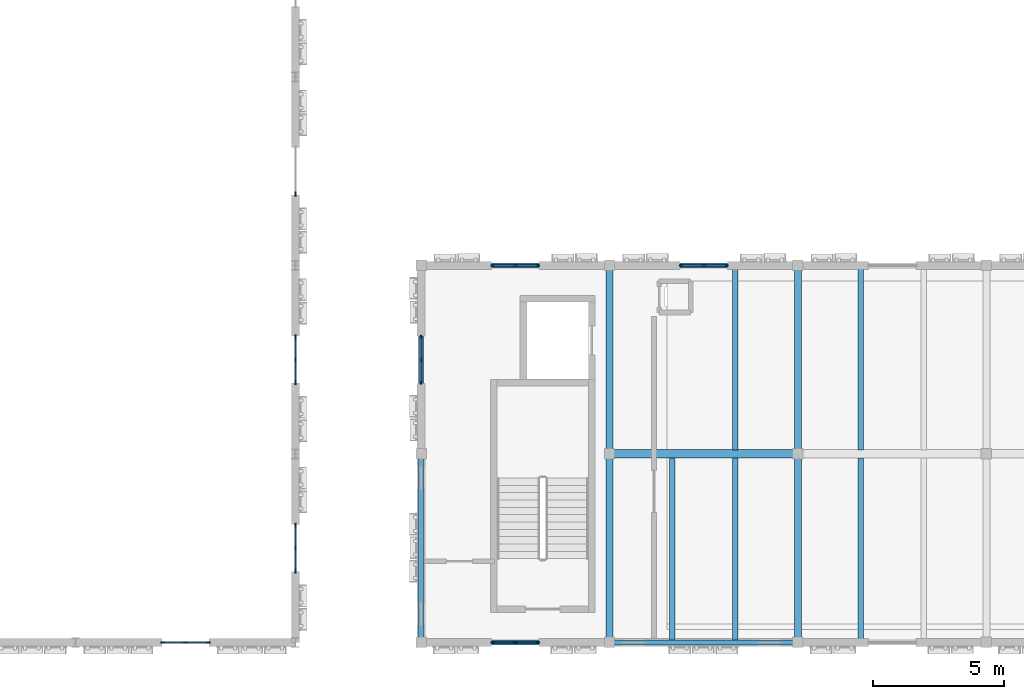
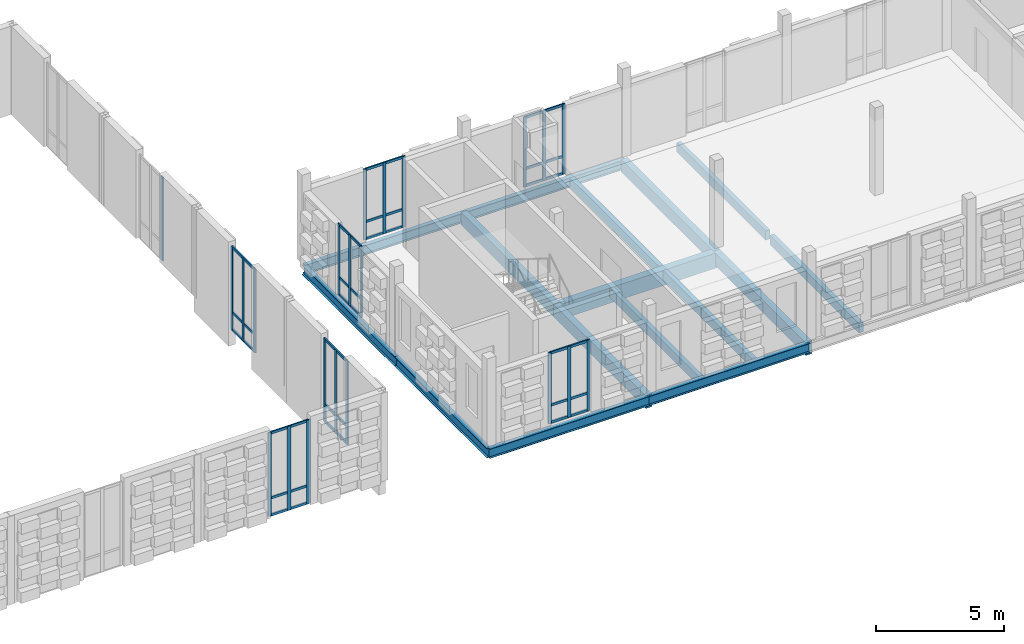
# One storey, part 7 of 81: 43 members, 16 beams, 8 elements without a shape of their own.
"""IFC4 building model written with IfcOpenShell, lengths in metres."""

from ifc_helpers import new_model, si_unit, direction, frame, origin, origin_2d, place, context, subcontext, project, spatial, rectangle, i_section, extrude, material, material_profile, profile_set, type_object, element, aggregate, save


model = new_model("IFC4")

# Units and contexts
model_context = context("Model", 3, precision=1e-05, world=origin(), true_north=direction((0.0, 1.0)))
body_context = subcontext(model_context, "Body", "Model", "MODEL_VIEW")
ifc_project = project(units=[si_unit("LENGTHUNIT", "METRE"), si_unit("AREAUNIT", "SQUARE_METRE"), si_unit("VOLUMEUNIT", "CUBIC_METRE"), si_unit("PLANEANGLEUNIT", "RADIAN"), si_unit("MASSUNIT", "GRAM", prefix="KILO")], contexts=[model_context])

# Site, building, storey
site_placement = place(None, origin())
site = spatial("IfcSite", under=ifc_project, at=site_placement, CompositionType="ELEMENT")
building_placement = place(site_placement, origin())
building = spatial("IfcBuilding", under=site, at=building_placement, Name="Kahlenmark Community Centre", CompositionType="ELEMENT")
storey_placement = place(building_placement, frame((0.0, 0.0, 9.60009765625)))
storey = spatial("IfcBuildingStorey", under=building, at=storey_placement, Name="L02", CompositionType="ELEMENT", Elevation=9.60009765625)

# Beams
ifc_material_1 = material(Name="Glulam GL32h", Category="wood")
ifc_material_profile_1 = material_profile(ifc_material_1, rectangle(XDim=0.280029296875, YDim=0.60009765625, at=origin_2d()), Name="GL32h 280x600")
ifc_profile_set_1 = profile_set([ifc_material_profile_1], Name="Glulam GL32h")
beam_type_1 = type_object("IfcBeamType", Name="BT-BEAM-GL32h280x600", PredefinedType="BEAM", material=ifc_profile_set_1)
for number, where, z_axis, x_axis, name in (
    (1, (58.0, 8.800048828125, -0.52001953125), (0.0, 1.0, 0.0), (-1.0, 0.0, 0.0), "L02 beam BG-GL32h280x600"),
    (2, (58.0, 16.0, -0.52001953125), (0.0, 1.0, 0.0), (-1.0, 0.0, 0.0), "L02 beam BG-GL32h280x600"),
    (3, (65.199951171875, 8.800048828125, -0.52001953125), (0.0, 1.0, 0.0), (-1.0, 0.0, 0.0), "L02 beam BG-GL32h280x600"),
    (4, (65.199951171875, 16.0, -0.52001953125), (0.0, 1.0, 0.0), (-1.0, 0.0, 0.0), "L02 beam BG-GL32h280x600"),
):
    element("IfcBeam", number, at=place(storey_placement, frame(where, z_axis=z_axis, x_axis=x_axis)), inside=storey, type_object=beam_type_1, Name=name, PredefinedType="BEAM", context=body_context, shape_type="SweptSolid", body=[
        extrude(rectangle(XDim=0.280029296875, YDim=0.60009765625, at=origin_2d()), origin(), (0.0, 0.0, 1.0), 7.199951171875),
    ])
ifc_material_profile_2 = material_profile(ifc_material_1, rectangle(XDim=0.320068359375, YDim=0.719970703125, at=origin_2d()), Name="GL32h 320x720")
ifc_profile_set_2 = profile_set([ifc_material_profile_2], Name="Glulam GL32h")
beam_type_2 = type_object("IfcBeamType", Name="BT-BEAM-GL32h320x720", PredefinedType="BEAM", material=ifc_profile_set_2)
beam_placement = place(storey_placement, frame((58.0, 16.0, -0.580078125), z_axis=(1.0, 0.0, 0.0), x_axis=(0.0, 1.0, 0.0)))
element("IfcBeam", 5, at=beam_placement, inside=storey, type_object=beam_type_2, Name="L02 beam BG-GL32h320x720", PredefinedType="BEAM", context=body_context, shape_type="SweptSolid", body=[
    extrude(rectangle(XDim=0.320068359375, YDim=0.719970703125, at=origin_2d()), origin(), (0.0, 0.0, 1.0), 7.199951171875),
])
ifc_material_2 = material(Name="Glulam GL28h", Category="wood")
ifc_material_profile_3 = material_profile(ifc_material_2, rectangle(XDim=0.199951171875, YDim=0.43994140625, at=origin_2d()), Name="GL28h 200x440")
ifc_profile_set_3 = profile_set([ifc_material_profile_3], Name="Glulam GL28h")
beam_type_3 = type_object("IfcBeamType", Name="BT-JOIST-GL28h200x440", PredefinedType="JOIST", material=ifc_profile_set_3)
for number, where, z_axis, x_axis, name in (
    (6, (60.39990234375, 8.89306640625, -0.440185546875), (0.0, 1.0, 0.0), (-1.0, 0.0, 0.0), "L02 joist BJ-GL28h200x440"),
    (7, (62.800048828125, 8.89306640625, -0.440185546875), (0.0, 1.0, 0.0), (-1.0, 0.0, 0.0), "L02 joist BJ-GL28h200x440"),
    (8, (62.800048828125, 16.157958984375, -0.440185546875), (0.0, 1.0, 0.0), (-1.0, 0.0, 0.0), "L02 joist BJ-GL28h200x440"),
    (9, (67.60009765625, 8.89306640625, -0.440185546875), (0.0, 1.0, 0.0), (-1.0, 0.0, 0.0), "L02 joist BJ-GL28h200x440"),
    (10, (67.60009765625, 16.157958984375, -0.440185546875), (0.0, 1.0, 0.0), (-1.0, 0.0, 0.0), "L02 joist BJ-GL28h200x440"),
):
    element("IfcBeam", number, at=place(storey_placement, frame(where, z_axis=z_axis, x_axis=x_axis)), inside=storey, type_object=beam_type_3, Name=name, PredefinedType="JOIST", context=body_context, shape_type="SweptSolid", body=[
        extrude(rectangle(XDim=0.199951171875, YDim=0.43994140625, at=origin_2d()), origin(), (0.0, 0.0, 1.0), 6.948974609375),
    ])
ifc_material_3 = material(Name="Steel S355", Category="steel")
ifc_material_profile_4 = material_profile(ifc_material_3, i_section(OverallWidth=0.18994140625, OverallDepth=0.449951171875, WebThickness=0.009521484375, FlangeThickness=0.0146484375, at=origin_2d()), Name="IPE 450")
ifc_profile_set_4 = profile_set([ifc_material_profile_4], Name="Steel S355")
beam_type_4 = type_object("IfcBeamType", Name="BT-SPANDREL-IPE450", PredefinedType="SPANDREL", material=ifc_profile_set_4)
for number, where, z_axis, x_axis, name in (
    (11, (50.800048828125, 8.800048828125, -0.445068359375), (1.0, 0.0, 0.0), (0.0, 1.0, 0.0), "L02 spandrel SP-IPE450"),
    (12, (58.0, 8.800048828125, -0.445068359375), (1.0, 0.0, 0.0), (0.0, 1.0, 0.0), "L02 spandrel SP-IPE450"),
    (13, (50.800048828125, 23.199951171875, -0.445068359375), (1.0, 0.0, 0.0), (0.0, 1.0, 0.0), "L02 spandrel SP-IPE450"),
    (14, (58.0, 23.199951171875, -0.445068359375), (1.0, 0.0, 0.0), (0.0, 1.0, 0.0), "L02 spandrel SP-IPE450"),
    (15, (50.800048828125, 8.800048828125, -0.445068359375), (0.0, 1.0, 0.0), (-1.0, 0.0, 0.0), "L02 spandrel SP-IPE450"),
    (16, (50.800048828125, 16.0, -0.445068359375), (0.0, 1.0, 0.0), (-1.0, 0.0, 0.0), "L02 spandrel SP-IPE450"),
):
    element("IfcBeam", number, at=place(storey_placement, frame(where, z_axis=z_axis, x_axis=x_axis)), inside=storey, type_object=beam_type_4, Name=name, PredefinedType="SPANDREL", context=body_context, shape_type="SweptSolid", body=[
        extrude(i_section(OverallWidth=0.18994140625, OverallDepth=0.449951171875, WebThickness=0.009521484375, FlangeThickness=0.0146484375, at=origin_2d()), origin(), (0.0, 0.0, 1.0), 7.199951171875),
    ])

# Curtain wall, members
ifc_material_4 = material(Name="Anodised aluminium unitised curtain wall", Category="aluminium")
curtain_wall_type_1 = type_object("IfcCurtainWallType", Name="CWT-UNIT-180X337", PredefinedType="USERDEFINED", material=ifc_material_4)
curtain_wall_1_placement = place(storey_placement, origin())
curtain_wall_1 = element("IfcCurtainWall", 17, at=curtain_wall_1_placement, inside=storey, type_object=curtain_wall_type_1, Name="Unitised curtain wall CW-080", ObjectType="UNITISED CURTAIN WALL", PredefinedType="USERDEFINED")
ifc_material_5 = material(Name="Anodised aluminium 6063-T6", Category="aluminium")
ifc_material_profile_5 = material_profile(ifc_material_5, rectangle(XDim=0.06005859375, YDim=0.139892578125, at=origin_2d()), Name="ALU MULLION 60x140")
ifc_profile_set_5 = profile_set([ifc_material_profile_5], Name="Anodised aluminium 6063-T6")
member_type_1 = type_object("IfcMemberType", Name="MT-MUL-140", PredefinedType="MULLION", material=ifc_profile_set_5)
member_1_placement = place(storey_placement, frame((53.530029296875, 8.800048828125, 0.0), z_axis=(0.0, 0.0, 1.0), x_axis=(0.0, 1.0, 0.0)))
member_1 = element("IfcMember", 18, at=member_1_placement, type_object=member_type_1, Name="CW-080 mullion 1", PredefinedType="MULLION", context=body_context, shape_type="SweptSolid", body=[
    extrude(rectangle(XDim=0.06005859375, YDim=0.139892578125, at=origin_2d()), origin(), (0.0, 0.0, 1.0), 3.369873046875),
])
member_2_placement = place(storey_placement, frame((54.39990234375, 8.800048828125, 0.0), z_axis=(0.0, 0.0, 1.0), x_axis=(0.0, 1.0, 0.0)))
member_2 = element("IfcMember", 19, at=member_2_placement, type_object=member_type_1, Name="CW-080 mullion 2", PredefinedType="MULLION", context=body_context, shape_type="SweptSolid", body=[
    extrude(rectangle(XDim=0.06005859375, YDim=0.139892578125, at=origin_2d()), origin(), (0.0, 0.0, 1.0), 3.369873046875),
])
member_3_placement = place(storey_placement, frame((55.27001953125, 8.800048828125, 0.0), z_axis=(0.0, 0.0, 1.0), x_axis=(0.0, 1.0, 0.0)))
member_3 = element("IfcMember", 20, at=member_3_placement, type_object=member_type_1, Name="CW-080 mullion 3", PredefinedType="MULLION", context=body_context, shape_type="SweptSolid", body=[
    extrude(rectangle(XDim=0.06005859375, YDim=0.139892578125, at=origin_2d()), origin(), (0.0, 0.0, 1.0), 3.369873046875),
])

curtain_wall_2_placement = place(storey_placement, origin())
curtain_wall_2 = element("IfcCurtainWall", 21, at=curtain_wall_2_placement, inside=storey, type_object=curtain_wall_type_1, Name="Unitised curtain wall CW-083", ObjectType="UNITISED CURTAIN WALL", PredefinedType="USERDEFINED")
member_4_placement = place(storey_placement, frame((55.27001953125, 23.199951171875, 0.0), z_axis=(0.0, 0.0, 1.0), x_axis=(0.0, -1.0, 0.0)))
member_4 = element("IfcMember", 22, at=member_4_placement, type_object=member_type_1, Name="CW-083 mullion 1", PredefinedType="MULLION", context=body_context, shape_type="SweptSolid", body=[
    extrude(rectangle(XDim=0.06005859375, YDim=0.139892578125, at=origin_2d()), origin(), (0.0, 0.0, 1.0), 3.369873046875),
])
member_5_placement = place(storey_placement, frame((54.39990234375, 23.199951171875, 0.0), z_axis=(0.0, 0.0, 1.0), x_axis=(0.0, -1.0, 0.0)))
member_5 = element("IfcMember", 23, at=member_5_placement, type_object=member_type_1, Name="CW-083 mullion 2", PredefinedType="MULLION", context=body_context, shape_type="SweptSolid", body=[
    extrude(rectangle(XDim=0.06005859375, YDim=0.139892578125, at=origin_2d()), origin(), (0.0, 0.0, 1.0), 3.369873046875),
])
member_6_placement = place(storey_placement, frame((53.530029296875, 23.199951171875, 0.0), z_axis=(0.0, 0.0, 1.0), x_axis=(0.0, -1.0, 0.0)))
member_6 = element("IfcMember", 24, at=member_6_placement, type_object=member_type_1, Name="CW-083 mullion 3", PredefinedType="MULLION", context=body_context, shape_type="SweptSolid", body=[
    extrude(rectangle(XDim=0.06005859375, YDim=0.139892578125, at=origin_2d()), origin(), (0.0, 0.0, 1.0), 3.369873046875),
])

curtain_wall_type_2 = type_object("IfcCurtainWallType", Name="CWT-UNIT-180X333", PredefinedType="USERDEFINED", material=ifc_material_4)
curtain_wall_3_placement = place(storey_placement, origin())
curtain_wall_3 = element("IfcCurtainWall", 25, at=curtain_wall_3_placement, inside=storey, type_object=curtain_wall_type_2, Name="Unitised curtain wall CW-084", ObjectType="UNITISED CURTAIN WALL", PredefinedType="USERDEFINED")
member_7_placement = place(storey_placement, frame((62.469970703125, 23.199951171875, 0.0), z_axis=(0.0, 0.0, 1.0), x_axis=(0.0, -1.0, 0.0)))
member_7 = element("IfcMember", 26, at=member_7_placement, type_object=member_type_1, Name="CW-084 mullion 1", PredefinedType="MULLION", context=body_context, shape_type="SweptSolid", body=[
    extrude(rectangle(XDim=0.06005859375, YDim=0.139892578125, at=origin_2d()), origin(), (0.0, 0.0, 1.0), 3.329833984375),
])
member_8_placement = place(storey_placement, frame((61.60009765625, 23.199951171875, 0.0), z_axis=(0.0, 0.0, 1.0), x_axis=(0.0, -1.0, 0.0)))
member_8 = element("IfcMember", 27, at=member_8_placement, type_object=member_type_1, Name="CW-084 mullion 2", PredefinedType="MULLION", context=body_context, shape_type="SweptSolid", body=[
    extrude(rectangle(XDim=0.06005859375, YDim=0.139892578125, at=origin_2d()), origin(), (0.0, 0.0, 1.0), 3.329833984375),
])
member_9_placement = place(storey_placement, frame((60.72998046875, 23.199951171875, 0.0), z_axis=(0.0, 0.0, 1.0), x_axis=(0.0, -1.0, 0.0)))
member_9 = element("IfcMember", 28, at=member_9_placement, type_object=member_type_1, Name="CW-084 mullion 3", PredefinedType="MULLION", context=body_context, shape_type="SweptSolid", body=[
    extrude(rectangle(XDim=0.06005859375, YDim=0.139892578125, at=origin_2d()), origin(), (0.0, 0.0, 1.0), 3.329833984375),
])

curtain_wall_4_placement = place(storey_placement, origin())
curtain_wall_4 = element("IfcCurtainWall", 29, at=curtain_wall_4_placement, inside=storey, type_object=curtain_wall_type_1, Name="Unitised curtain wall CW-087", ObjectType="UNITISED CURTAIN WALL", PredefinedType="USERDEFINED")
member_10_placement = place(storey_placement, frame((50.800048828125, 20.469970703125, 0.0), z_axis=(0.0, 0.0, 1.0), x_axis=(1.0, 0.0, 0.0)))
member_10 = element("IfcMember", 30, at=member_10_placement, type_object=member_type_1, Name="CW-087 mullion 1", PredefinedType="MULLION", context=body_context, shape_type="SweptSolid", body=[
    extrude(rectangle(XDim=0.06005859375, YDim=0.139892578125, at=origin_2d()), origin(), (0.0, 0.0, 1.0), 3.369873046875),
])
member_11_placement = place(storey_placement, frame((50.800048828125, 19.60009765625, 0.0), z_axis=(0.0, 0.0, 1.0), x_axis=(1.0, 0.0, 0.0)))
member_11 = element("IfcMember", 31, at=member_11_placement, type_object=member_type_1, Name="CW-087 mullion 2", PredefinedType="MULLION", context=body_context, shape_type="SweptSolid", body=[
    extrude(rectangle(XDim=0.06005859375, YDim=0.139892578125, at=origin_2d()), origin(), (0.0, 0.0, 1.0), 3.369873046875),
])
member_12_placement = place(storey_placement, frame((50.800048828125, 18.72998046875, 0.0), z_axis=(0.0, 0.0, 1.0), x_axis=(1.0, 0.0, 0.0)))
member_12 = element("IfcMember", 32, at=member_12_placement, type_object=member_type_1, Name="CW-087 mullion 3", PredefinedType="MULLION", context=body_context, shape_type="SweptSolid", body=[
    extrude(rectangle(XDim=0.06005859375, YDim=0.139892578125, at=origin_2d()), origin(), (0.0, 0.0, 1.0), 3.369873046875),
])

curtain_wall_type_3 = type_object("IfcCurtainWallType", Name="CWT-UNIT-180X398", PredefinedType="USERDEFINED", material=ifc_material_4)
curtain_wall_5_placement = place(storey_placement, origin())
curtain_wall_5 = element("IfcCurtainWall", 33, at=curtain_wall_5_placement, inside=storey, type_object=curtain_wall_type_3, Name="Unitised curtain wall CW-061", ObjectType="UNITISED CURTAIN WALL", PredefinedType="USERDEFINED")
ifc_material_profile_6 = material_profile(ifc_material_5, rectangle(XDim=0.06005859375, YDim=0.159912109375, at=origin_2d()), Name="ALU MULLION 60x160")
ifc_profile_set_6 = profile_set([ifc_material_profile_6], Name="Anodised aluminium 6063-T6")
member_type_2 = type_object("IfcMemberType", Name="MT-MUL-160", PredefinedType="MULLION", material=ifc_profile_set_6)
member_13_placement = place(storey_placement, frame((40.929931640625, 8.800048828125, 0.0), z_axis=(0.0, 0.0, 1.0), x_axis=(0.0, 1.0, 0.0)))
member_13 = element("IfcMember", 34, at=member_13_placement, type_object=member_type_2, Name="CW-061 mullion 1", PredefinedType="MULLION", context=body_context, shape_type="SweptSolid", body=[
    extrude(rectangle(XDim=0.06005859375, YDim=0.159912109375, at=origin_2d()), origin(), (0.0, 0.0, 1.0), 3.97998046875),
])
member_14_placement = place(storey_placement, frame((41.800048828125, 8.800048828125, 0.0), z_axis=(0.0, 0.0, 1.0), x_axis=(0.0, 1.0, 0.0)))
member_14 = element("IfcMember", 35, at=member_14_placement, type_object=member_type_2, Name="CW-061 mullion 2", PredefinedType="MULLION", context=body_context, shape_type="SweptSolid", body=[
    extrude(rectangle(XDim=0.06005859375, YDim=0.159912109375, at=origin_2d()), origin(), (0.0, 0.0, 1.0), 3.97998046875),
])
member_15_placement = place(storey_placement, frame((42.669921875, 8.800048828125, 0.0), z_axis=(0.0, 0.0, 1.0), x_axis=(0.0, 1.0, 0.0)))
member_15 = element("IfcMember", 36, at=member_15_placement, type_object=member_type_2, Name="CW-061 mullion 3", PredefinedType="MULLION", context=body_context, shape_type="SweptSolid", body=[
    extrude(rectangle(XDim=0.06005859375, YDim=0.159912109375, at=origin_2d()), origin(), (0.0, 0.0, 1.0), 3.97998046875),
])

curtain_wall_6_placement = place(storey_placement, origin())
curtain_wall_6 = element("IfcCurtainWall", 37, at=curtain_wall_6_placement, inside=storey, type_object=curtain_wall_type_3, Name="Unitised curtain wall CW-066", ObjectType="UNITISED CURTAIN WALL", PredefinedType="USERDEFINED")
member_16_placement = place(storey_placement, frame((46.0, 11.530029296875, 0.0), z_axis=(0.0, 0.0, 1.0), x_axis=(-1.0, 0.0, 0.0)))
member_16 = element("IfcMember", 38, at=member_16_placement, type_object=member_type_2, Name="CW-066 mullion 1", PredefinedType="MULLION", context=body_context, shape_type="SweptSolid", body=[
    extrude(rectangle(XDim=0.06005859375, YDim=0.159912109375, at=origin_2d()), origin(), (0.0, 0.0, 1.0), 3.97998046875),
])
member_17_placement = place(storey_placement, frame((46.0, 12.39990234375, 0.0), z_axis=(0.0, 0.0, 1.0), x_axis=(-1.0, 0.0, 0.0)))
member_17 = element("IfcMember", 39, at=member_17_placement, type_object=member_type_2, Name="CW-066 mullion 2", PredefinedType="MULLION", context=body_context, shape_type="SweptSolid", body=[
    extrude(rectangle(XDim=0.06005859375, YDim=0.159912109375, at=origin_2d()), origin(), (0.0, 0.0, 1.0), 3.97998046875),
])
member_18_placement = place(storey_placement, frame((46.0, 13.27001953125, 0.0), z_axis=(0.0, 0.0, 1.0), x_axis=(-1.0, 0.0, 0.0)))
member_18 = element("IfcMember", 40, at=member_18_placement, type_object=member_type_2, Name="CW-066 mullion 3", PredefinedType="MULLION", context=body_context, shape_type="SweptSolid", body=[
    extrude(rectangle(XDim=0.06005859375, YDim=0.159912109375, at=origin_2d()), origin(), (0.0, 0.0, 1.0), 3.97998046875),
])

curtain_wall_7_placement = place(storey_placement, origin())
curtain_wall_7 = element("IfcCurtainWall", 41, at=curtain_wall_7_placement, inside=storey, type_object=curtain_wall_type_3, Name="Unitised curtain wall CW-067", ObjectType="UNITISED CURTAIN WALL", PredefinedType="USERDEFINED")
member_19_placement = place(storey_placement, frame((46.0, 18.72998046875, 0.0), z_axis=(0.0, 0.0, 1.0), x_axis=(-1.0, 0.0, 0.0)))
member_19 = element("IfcMember", 42, at=member_19_placement, type_object=member_type_2, Name="CW-067 mullion 1", PredefinedType="MULLION", context=body_context, shape_type="SweptSolid", body=[
    extrude(rectangle(XDim=0.06005859375, YDim=0.159912109375, at=origin_2d()), origin(), (0.0, 0.0, 1.0), 3.97998046875),
])
member_20_placement = place(storey_placement, frame((46.0, 19.60009765625, 0.0), z_axis=(0.0, 0.0, 1.0), x_axis=(-1.0, 0.0, 0.0)))
member_20 = element("IfcMember", 43, at=member_20_placement, type_object=member_type_2, Name="CW-067 mullion 2", PredefinedType="MULLION", context=body_context, shape_type="SweptSolid", body=[
    extrude(rectangle(XDim=0.06005859375, YDim=0.159912109375, at=origin_2d()), origin(), (0.0, 0.0, 1.0), 3.97998046875),
])
member_21_placement = place(storey_placement, frame((46.0, 20.469970703125, 0.0), z_axis=(0.0, 0.0, 1.0), x_axis=(-1.0, 0.0, 0.0)))
member_21 = element("IfcMember", 44, at=member_21_placement, type_object=member_type_2, Name="CW-067 mullion 3", PredefinedType="MULLION", context=body_context, shape_type="SweptSolid", body=[
    extrude(rectangle(XDim=0.06005859375, YDim=0.159912109375, at=origin_2d()), origin(), (0.0, 0.0, 1.0), 3.97998046875),
])

# Curtain wall, member
curtain_wall_8_placement = place(storey_placement, origin())
curtain_wall_8 = element("IfcCurtainWall", 45, at=curtain_wall_8_placement, inside=storey, type_object=curtain_wall_type_3, Name="Unitised curtain wall CW-068", ObjectType="UNITISED CURTAIN WALL", PredefinedType="USERDEFINED")
member_22_placement = place(storey_placement, frame((46.0, 25.929931640625, 0.0), z_axis=(0.0, 0.0, 1.0), x_axis=(-1.0, 0.0, 0.0)))
member_22 = element("IfcMember", 46, at=member_22_placement, type_object=member_type_2, Name="CW-068 mullion 1", PredefinedType="MULLION", context=body_context, shape_type="SweptSolid", body=[
    extrude(rectangle(XDim=0.06005859375, YDim=0.159912109375, at=origin_2d()), origin(), (0.0, 0.0, 1.0), 3.97998046875),
])
aggregate(curtain_wall_8, [member_22])

# Member
ifc_material_profile_7 = material_profile(ifc_material_5, rectangle(XDim=0.06005859375, YDim=0.1201171875, at=origin_2d()), Name="ALU TRANSOM 60x120")
ifc_profile_set_7 = profile_set([ifc_material_profile_7], Name="Anodised aluminium 6063-T6")
member_type_3 = type_object("IfcMemberType", Name="MT-TRN-120", PredefinedType="USERDEFINED", material=ifc_profile_set_7)
member_23_placement = place(storey_placement, frame((40.929931640625, 8.800048828125, 0.039794921875), z_axis=(1.0, 0.0, 0.0), x_axis=(0.0, 1.0, 0.0)))
member_23 = element("IfcMember", 47, at=member_23_placement, type_object=member_type_3, Name="CW-061 transom 1", ObjectType="TRANSOM", PredefinedType="USERDEFINED", context=body_context, shape_type="SweptSolid", body=[
    extrude(rectangle(XDim=0.06005859375, YDim=0.1201171875, at=origin_2d()), origin(), (0.0, 0.0, 1.0), 1.739990234375),
])

member_24_placement = place(storey_placement, frame((40.929931640625, 8.800048828125, 0.849853515625), z_axis=(1.0, 0.0, 0.0), x_axis=(0.0, 1.0, 0.0)))
member_24 = element("IfcMember", 48, at=member_24_placement, type_object=member_type_3, Name="CW-061 transom 2", ObjectType="TRANSOM", PredefinedType="USERDEFINED", context=body_context, shape_type="SweptSolid", body=[
    extrude(rectangle(XDim=0.06005859375, YDim=0.1201171875, at=origin_2d()), origin(), (0.0, 0.0, 1.0), 1.739990234375),
])

member_25_placement = place(storey_placement, frame((40.929931640625, 8.800048828125, 3.93994140625), z_axis=(1.0, 0.0, 0.0), x_axis=(0.0, 1.0, 0.0)))
member_25 = element("IfcMember", 49, at=member_25_placement, type_object=member_type_3, Name="CW-061 transom 3", ObjectType="TRANSOM", PredefinedType="USERDEFINED", context=body_context, shape_type="SweptSolid", body=[
    extrude(rectangle(XDim=0.06005859375, YDim=0.1201171875, at=origin_2d()), origin(), (0.0, 0.0, 1.0), 1.739990234375),
])

aggregate(curtain_wall_5, [member_13, member_14, member_15, member_23, member_24, member_25])

member_26_placement = place(storey_placement, frame((46.0, 11.530029296875, 0.039794921875), z_axis=(0.0, 1.0, 0.0), x_axis=(-1.0, 0.0, 0.0)))
member_26 = element("IfcMember", 50, at=member_26_placement, type_object=member_type_3, Name="CW-066 transom 1", ObjectType="TRANSOM", PredefinedType="USERDEFINED", context=body_context, shape_type="SweptSolid", body=[
    extrude(rectangle(XDim=0.06005859375, YDim=0.1201171875, at=origin_2d()), origin(), (0.0, 0.0, 1.0), 1.739990234375),
])

member_27_placement = place(storey_placement, frame((46.0, 11.530029296875, 0.849853515625), z_axis=(0.0, 1.0, 0.0), x_axis=(-1.0, 0.0, 0.0)))
member_27 = element("IfcMember", 51, at=member_27_placement, type_object=member_type_3, Name="CW-066 transom 2", ObjectType="TRANSOM", PredefinedType="USERDEFINED", context=body_context, shape_type="SweptSolid", body=[
    extrude(rectangle(XDim=0.06005859375, YDim=0.1201171875, at=origin_2d()), origin(), (0.0, 0.0, 1.0), 1.739990234375),
])

member_28_placement = place(storey_placement, frame((46.0, 11.530029296875, 3.93994140625), z_axis=(0.0, 1.0, 0.0), x_axis=(-1.0, 0.0, 0.0)))
member_28 = element("IfcMember", 52, at=member_28_placement, type_object=member_type_3, Name="CW-066 transom 3", ObjectType="TRANSOM", PredefinedType="USERDEFINED", context=body_context, shape_type="SweptSolid", body=[
    extrude(rectangle(XDim=0.06005859375, YDim=0.1201171875, at=origin_2d()), origin(), (0.0, 0.0, 1.0), 1.739990234375),
])

aggregate(curtain_wall_6, [member_16, member_17, member_18, member_26, member_27, member_28])

member_29_placement = place(storey_placement, frame((46.0, 18.72998046875, 0.039794921875), z_axis=(0.0, 1.0, 0.0), x_axis=(-1.0, 0.0, 0.0)))
member_29 = element("IfcMember", 53, at=member_29_placement, type_object=member_type_3, Name="CW-067 transom 1", ObjectType="TRANSOM", PredefinedType="USERDEFINED", context=body_context, shape_type="SweptSolid", body=[
    extrude(rectangle(XDim=0.06005859375, YDim=0.1201171875, at=origin_2d()), origin(), (0.0, 0.0, 1.0), 1.739990234375),
])

member_30_placement = place(storey_placement, frame((46.0, 18.72998046875, 0.849853515625), z_axis=(0.0, 1.0, 0.0), x_axis=(-1.0, 0.0, 0.0)))
member_30 = element("IfcMember", 54, at=member_30_placement, type_object=member_type_3, Name="CW-067 transom 2", ObjectType="TRANSOM", PredefinedType="USERDEFINED", context=body_context, shape_type="SweptSolid", body=[
    extrude(rectangle(XDim=0.06005859375, YDim=0.1201171875, at=origin_2d()), origin(), (0.0, 0.0, 1.0), 1.739990234375),
])

member_31_placement = place(storey_placement, frame((46.0, 18.72998046875, 3.93994140625), z_axis=(0.0, 1.0, 0.0), x_axis=(-1.0, 0.0, 0.0)))
member_31 = element("IfcMember", 55, at=member_31_placement, type_object=member_type_3, Name="CW-067 transom 3", ObjectType="TRANSOM", PredefinedType="USERDEFINED", context=body_context, shape_type="SweptSolid", body=[
    extrude(rectangle(XDim=0.06005859375, YDim=0.1201171875, at=origin_2d()), origin(), (0.0, 0.0, 1.0), 1.739990234375),
])

aggregate(curtain_wall_7, [member_19, member_20, member_21, member_29, member_30, member_31])

member_32_placement = place(storey_placement, frame((53.530029296875, 8.800048828125, 0.039794921875), z_axis=(1.0, 0.0, 0.0), x_axis=(0.0, 1.0, 0.0)))
member_32 = element("IfcMember", 56, at=member_32_placement, type_object=member_type_3, Name="CW-080 transom 1", ObjectType="TRANSOM", PredefinedType="USERDEFINED", context=body_context, shape_type="SweptSolid", body=[
    extrude(rectangle(XDim=0.06005859375, YDim=0.1201171875, at=origin_2d()), origin(), (0.0, 0.0, 1.0), 1.739990234375),
])

member_33_placement = place(storey_placement, frame((53.530029296875, 8.800048828125, 0.849853515625), z_axis=(1.0, 0.0, 0.0), x_axis=(0.0, 1.0, 0.0)))
member_33 = element("IfcMember", 57, at=member_33_placement, type_object=member_type_3, Name="CW-080 transom 2", ObjectType="TRANSOM", PredefinedType="USERDEFINED", context=body_context, shape_type="SweptSolid", body=[
    extrude(rectangle(XDim=0.06005859375, YDim=0.1201171875, at=origin_2d()), origin(), (0.0, 0.0, 1.0), 1.739990234375),
])

member_34_placement = place(storey_placement, frame((53.530029296875, 8.800048828125, 3.329833984375), z_axis=(1.0, 0.0, 0.0), x_axis=(0.0, 1.0, 0.0)))
member_34 = element("IfcMember", 58, at=member_34_placement, type_object=member_type_3, Name="CW-080 transom 3", ObjectType="TRANSOM", PredefinedType="USERDEFINED", context=body_context, shape_type="SweptSolid", body=[
    extrude(rectangle(XDim=0.06005859375, YDim=0.1201171875, at=origin_2d()), origin(), (0.0, 0.0, 1.0), 1.739990234375),
])

aggregate(curtain_wall_1, [member_1, member_2, member_3, member_32, member_33, member_34])

member_35_placement = place(storey_placement, frame((55.27001953125, 23.199951171875, 0.039794921875), z_axis=(-1.0, 0.0, 0.0), x_axis=(0.0, -1.0, 0.0)))
member_35 = element("IfcMember", 59, at=member_35_placement, type_object=member_type_3, Name="CW-083 transom 1", ObjectType="TRANSOM", PredefinedType="USERDEFINED", context=body_context, shape_type="SweptSolid", body=[
    extrude(rectangle(XDim=0.06005859375, YDim=0.1201171875, at=origin_2d()), origin(), (0.0, 0.0, 1.0), 1.739990234375),
])

member_36_placement = place(storey_placement, frame((55.27001953125, 23.199951171875, 0.849853515625), z_axis=(-1.0, 0.0, 0.0), x_axis=(0.0, -1.0, 0.0)))
member_36 = element("IfcMember", 60, at=member_36_placement, type_object=member_type_3, Name="CW-083 transom 2", ObjectType="TRANSOM", PredefinedType="USERDEFINED", context=body_context, shape_type="SweptSolid", body=[
    extrude(rectangle(XDim=0.06005859375, YDim=0.1201171875, at=origin_2d()), origin(), (0.0, 0.0, 1.0), 1.739990234375),
])

member_37_placement = place(storey_placement, frame((55.27001953125, 23.199951171875, 3.329833984375), z_axis=(-1.0, 0.0, 0.0), x_axis=(0.0, -1.0, 0.0)))
member_37 = element("IfcMember", 61, at=member_37_placement, type_object=member_type_3, Name="CW-083 transom 3", ObjectType="TRANSOM", PredefinedType="USERDEFINED", context=body_context, shape_type="SweptSolid", body=[
    extrude(rectangle(XDim=0.06005859375, YDim=0.1201171875, at=origin_2d()), origin(), (0.0, 0.0, 1.0), 1.739990234375),
])

aggregate(curtain_wall_2, [member_4, member_5, member_6, member_35, member_36, member_37])

member_38_placement = place(storey_placement, frame((62.469970703125, 23.199951171875, 0.039794921875), z_axis=(-1.0, 0.0, 0.0), x_axis=(0.0, -1.0, 0.0)))
member_38 = element("IfcMember", 62, at=member_38_placement, type_object=member_type_3, Name="CW-084 transom 1", ObjectType="TRANSOM", PredefinedType="USERDEFINED", context=body_context, shape_type="SweptSolid", body=[
    extrude(rectangle(XDim=0.06005859375, YDim=0.1201171875, at=origin_2d()), origin(), (0.0, 0.0, 1.0), 1.739990234375),
])

member_39_placement = place(storey_placement, frame((62.469970703125, 23.199951171875, 0.849853515625), z_axis=(-1.0, 0.0, 0.0), x_axis=(0.0, -1.0, 0.0)))
member_39 = element("IfcMember", 63, at=member_39_placement, type_object=member_type_3, Name="CW-084 transom 2", ObjectType="TRANSOM", PredefinedType="USERDEFINED", context=body_context, shape_type="SweptSolid", body=[
    extrude(rectangle(XDim=0.06005859375, YDim=0.1201171875, at=origin_2d()), origin(), (0.0, 0.0, 1.0), 1.739990234375),
])

member_40_placement = place(storey_placement, frame((62.469970703125, 23.199951171875, 3.289794921875), z_axis=(-1.0, 0.0, 0.0), x_axis=(0.0, -1.0, 0.0)))
member_40 = element("IfcMember", 64, at=member_40_placement, type_object=member_type_3, Name="CW-084 transom 3", ObjectType="TRANSOM", PredefinedType="USERDEFINED", context=body_context, shape_type="SweptSolid", body=[
    extrude(rectangle(XDim=0.06005859375, YDim=0.1201171875, at=origin_2d()), origin(), (0.0, 0.0, 1.0), 1.739990234375),
])

aggregate(curtain_wall_3, [member_7, member_8, member_9, member_38, member_39, member_40])

member_41_placement = place(storey_placement, frame((50.800048828125, 20.469970703125, 0.039794921875), z_axis=(0.0, -1.0, 0.0), x_axis=(1.0, 0.0, 0.0)))
member_41 = element("IfcMember", 65, at=member_41_placement, type_object=member_type_3, Name="CW-087 transom 1", ObjectType="TRANSOM", PredefinedType="USERDEFINED", context=body_context, shape_type="SweptSolid", body=[
    extrude(rectangle(XDim=0.06005859375, YDim=0.1201171875, at=origin_2d()), origin(), (0.0, 0.0, 1.0), 1.739990234375),
])

member_42_placement = place(storey_placement, frame((50.800048828125, 20.469970703125, 0.849853515625), z_axis=(0.0, -1.0, 0.0), x_axis=(1.0, 0.0, 0.0)))
member_42 = element("IfcMember", 66, at=member_42_placement, type_object=member_type_3, Name="CW-087 transom 2", ObjectType="TRANSOM", PredefinedType="USERDEFINED", context=body_context, shape_type="SweptSolid", body=[
    extrude(rectangle(XDim=0.06005859375, YDim=0.1201171875, at=origin_2d()), origin(), (0.0, 0.0, 1.0), 1.739990234375),
])

member_43_placement = place(storey_placement, frame((50.800048828125, 20.469970703125, 3.329833984375), z_axis=(0.0, -1.0, 0.0), x_axis=(1.0, 0.0, 0.0)))
member_43 = element("IfcMember", 67, at=member_43_placement, type_object=member_type_3, Name="CW-087 transom 3", ObjectType="TRANSOM", PredefinedType="USERDEFINED", context=body_context, shape_type="SweptSolid", body=[
    extrude(rectangle(XDim=0.06005859375, YDim=0.1201171875, at=origin_2d()), origin(), (0.0, 0.0, 1.0), 1.739990234375),
])

aggregate(curtain_wall_4, [member_10, member_11, member_12, member_41, member_42, member_43])

save(model, "model.ifc")
